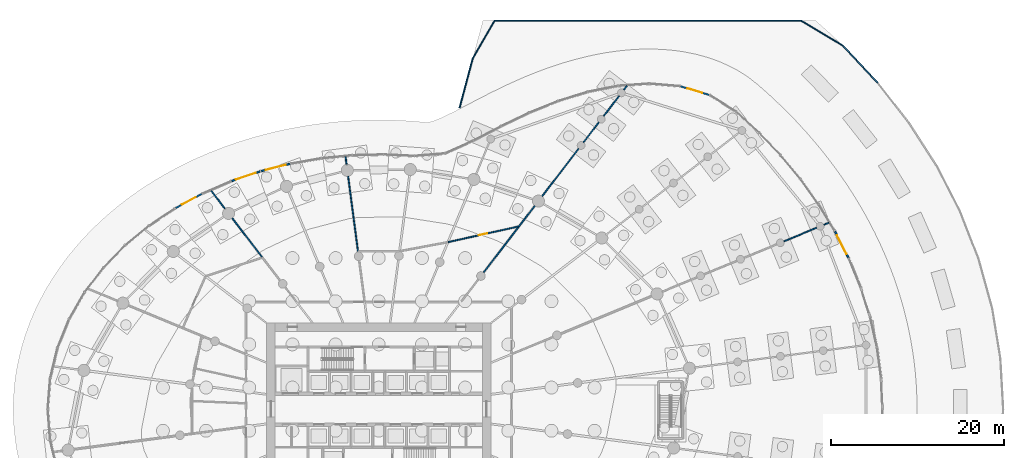
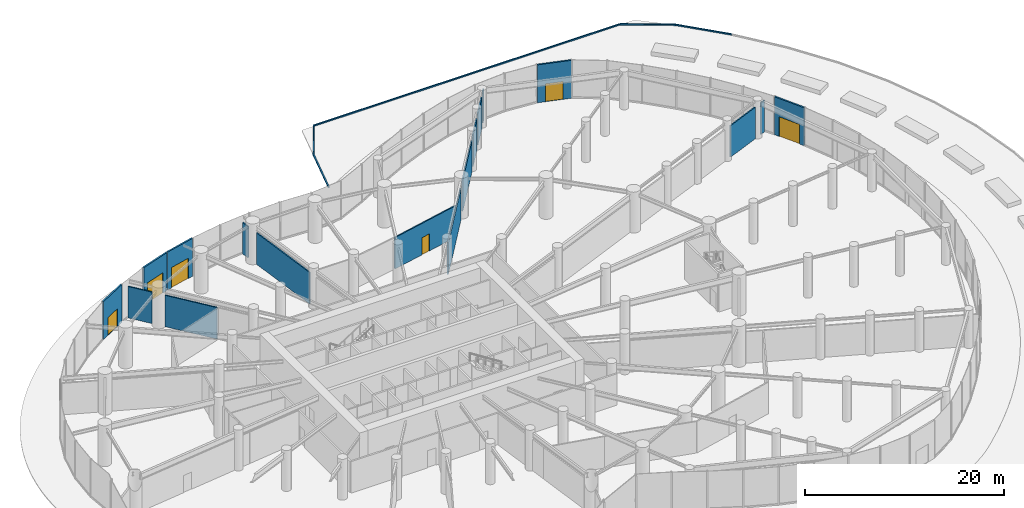
# One storey, part 23 of 28: 27 walls, 6 doors, 6 openings.
"""IFC4 building model written with IfcOpenShell, lengths in metres."""

import ifcopenshell
import ifcopenshell.guid

model = None  # the IFC model being written
_history = None  # IfcOwnerHistory: only IFC2X3 demands one
_inside = {}  # id of a spatial element -> (the spatial element, [elements in it])
_under = {}  # id of a project, library or spatial element -> (it, [spatial elements below it])
_declared = {}  # id of a project -> (the project, [libraries it declares])
_typed = {}  # id of a type object -> (the type object, [elements of that type])
_made_of = {}  # id of a material, layer set ... -> (it, [elements and type objects made of it])


def new_model(schema):
    """Start an empty IFC model of exactly this schema.

    Asked for "IFC4X3", IfcOpenShell would pick the latest addendum, in which some entities
    have other attributes; the version numbers below select the first issue.
    IFC2X3 requires an IfcOwnerHistory on every rooted entity: one is made here for all.
    """
    global model, _history
    if schema == "IFC4X3":
        model = ifcopenshell.file(schema_version=(4, 3, 0, 0))
    else:
        model = ifcopenshell.file(schema=schema)
    _inside.clear()
    _under.clear()
    _declared.clear()
    _typed.clear()
    _made_of.clear()
    _history = None
    if model.schema == "IFC2X3":
        org = make("IfcOrganization", Name="unknown")
        user = make(
            "IfcPersonAndOrganization",
            ThePerson=make("IfcPerson", FamilyName="unknown"),
            TheOrganization=org,
        )
        app = make(
            "IfcApplication",
            ApplicationDeveloper=org,
            Version="unknown",
            ApplicationFullName="unknown",
            ApplicationIdentifier="unknown",
        )
        _history = make(
            "IfcOwnerHistory",
            OwningUser=user,
            OwningApplication=app,
            ChangeAction="ADDED",
            CreationDate=0,
        )
    return model


def make(cls, **values):
    """One entity of the class cls with the attributes given. An attribute that is None is left unset."""
    return model.create_entity(
        cls, **{name: value for name, value in values.items() if value is not None}
    )


def rooted(cls, **values):
    """An entity with a GlobalId (a new one), such as an element, a storey or a relation."""
    return make(cls, GlobalId=ifcopenshell.guid.new(), OwnerHistory=_history, **values)


def si_unit(unit_type, name, prefix=None):
    """IfcSIUnit, for example si_unit("LENGTHUNIT", "METRE", prefix="MILLI")."""
    return make("IfcSIUnit", UnitType=unit_type, Prefix=prefix, Name=name)


def assignment(units):
    """IfcUnitAssignment: the units of a project."""
    return None if units is None else make("IfcUnitAssignment", Units=units)


def point(xyz):
    """IfcCartesianPoint."""
    return None if xyz is None else make("IfcCartesianPoint", Coordinates=xyz)


def direction(xyz):
    """IfcDirection."""
    return None if xyz is None else make("IfcDirection", DirectionRatios=xyz)


def frame(location, z_axis=None, x_axis=None):
    """IfcAxis2Placement3D, a coordinate frame: its origin and axes. An axis left out is left unset."""
    return make(
        "IfcAxis2Placement3D",
        Location=point(location),
        Axis=direction(z_axis),
        RefDirection=direction(x_axis),
    )


def frame_2d(location, x_axis=None):
    """IfcAxis2Placement2D, a coordinate frame in the plane: its origin and x axis."""
    return make(
        "IfcAxis2Placement2D", Location=point(location), RefDirection=direction(x_axis)
    )


def origin():
    """The frame at (0, 0, 0) with its axes left unset."""
    return frame((0.0, 0.0, 0.0))


def place(relative_to, where):
    """IfcLocalPlacement: puts the frame where relative to a parent placement (None: the world)."""
    return make(
        "IfcLocalPlacement", PlacementRelTo=relative_to, RelativePlacement=where
    )


def context(
    kind, dimensions, precision=None, world=None, true_north=None, identifier=None
):
    """IfcGeometricRepresentationContext, for example the 3D "Model" context."""
    return make(
        "IfcGeometricRepresentationContext",
        ContextIdentifier=identifier,
        ContextType=kind,
        CoordinateSpaceDimension=dimensions,
        Precision=precision,
        WorldCoordinateSystem=world,
        TrueNorth=true_north,
    )


def subcontext(parent, identifier, kind, view, scale=None):
    """IfcGeometricRepresentationSubContext, for example "Body" below "Model"."""
    return make(
        "IfcGeometricRepresentationSubContext",
        ContextIdentifier=identifier,
        ContextType=kind,
        ParentContext=parent,
        TargetScale=scale,
        TargetView=view,
    )


def project(units=None, contexts=None):
    """IfcProject with its units and contexts."""
    return rooted(
        "IfcProject",
        Name="project",
        RepresentationContexts=contexts,
        UnitsInContext=assignment(units),
    )


def spatial(cls, under=None, at=None, **own):
    """A site, building, storey or space (cls), placed at a placement, below another one or the project."""
    s = rooted(cls, ObjectPlacement=at, **own)
    if under is not None:
        _under.setdefault(under.id(), (under, []))[1].append(s)
    return s


def profile(cls, at=None, kind="AREA", **sizes):
    """A parametric profile (cls). Its sizes go by their IFC names, for example OverallWidth=200.0."""
    return make(cls, ProfileType=kind, Position=at, **sizes)


def rectangle(**sizes):
    """IfcRectangleProfileDef."""
    return profile("IfcRectangleProfileDef", **sizes)


def extrude(swept, where, along, depth):
    """IfcExtrudedAreaSolid: the profile swept, set in the frame where, extruded along a direction by depth."""
    return make(
        "IfcExtrudedAreaSolid",
        SweptArea=swept,
        Position=where,
        ExtrudedDirection=direction(along),
        Depth=depth,
    )


def shape(context_of_items, identifier, shape_type, items):
    """IfcShapeRepresentation: the items that make up one representation, for example the "Body"."""
    return make(
        "IfcShapeRepresentation",
        ContextOfItems=context_of_items,
        RepresentationIdentifier=identifier,
        RepresentationType=shape_type,
        Items=items,
    )


def source(mapping_origin, context_of_items, identifier, shape_type, items):
    """IfcRepresentationMap: a shape defined once, which mapped items show again and again."""
    return make(
        "IfcRepresentationMap",
        MappingOrigin=mapping_origin,
        MappedRepresentation=shape(context_of_items, identifier, shape_type, items),
    )


def transform(
    local_origin,
    x_axis=None,
    y_axis=None,
    z_axis=None,
    scale=None,
    scale2=None,
    scale3=None,
    uniform=True,
):
    """IfcCartesianTransformationOperator3D, or its non-uniform kind. x_axis, y_axis, z_axis: its Axis1, 2, 3."""
    if uniform:
        return make(
            "IfcCartesianTransformationOperator3D",
            Axis1=direction(x_axis),
            Axis2=direction(y_axis),
            LocalOrigin=point(local_origin),
            Scale=scale,
            Axis3=direction(z_axis),
        )
    return make(
        "IfcCartesianTransformationOperator3DnonUniform",
        Axis1=direction(x_axis),
        Axis2=direction(y_axis),
        LocalOrigin=point(local_origin),
        Scale=scale,
        Axis3=direction(z_axis),
        Scale2=scale2,
        Scale3=scale3,
    )


def mapped(mapping_source, mapping_target):
    """IfcMappedItem: shows the shape of a source again, moved by a transform."""
    return make(
        "IfcMappedItem", MappingSource=mapping_source, MappingTarget=mapping_target
    )


def material(Name=None, Category=None):
    """IfcMaterial."""
    return make("IfcMaterial", Name=Name, Category=Category)


def layer(
    of_material, thickness, ventilated=None, Name=None, Category=None, Priority=None
):
    """IfcMaterialLayer: one layer of a wall or slab, of a material (None: an air gap)."""
    return make(
        "IfcMaterialLayer",
        Material=of_material,
        LayerThickness=thickness,
        IsVentilated=ventilated,
        Name=Name,
        Category=Category,
        Priority=Priority,
    )


def layer_set(layers, Name=None):
    """IfcMaterialLayerSet."""
    return make("IfcMaterialLayerSet", MaterialLayers=layers, LayerSetName=Name)


def made_of(thing, what):
    """Note that an element or type object is made of a material, layer set ...; save() writes the relation."""
    if what is not None:
        _made_of.setdefault(what.id(), (what, []))[1].append(thing)
    return thing


def type_object(cls, material=None, **own):
    """A type object (cls), such as IfcWallType, which elements share."""
    return made_of(rooted(cls, **own), material)


def element(
    cls,
    number,
    at=None,
    inside=None,
    cuts=None,
    type_object=None,
    material=None,
    context=None,
    identifier="Body",
    shape_type=None,
    held_by="IfcProductDefinitionShape",
    body=None,
    shapes=None,
    **own,
):
    """One element of the class cls, such as IfcWall. Its Tag is "e" and its number.

    at: its placement. inside: the storey or other place that contains it. cuts: it is an
    opening in that element (IfcRelVoidsElement). A single representation is given by context,
    identifier, shape_type and body (its items); several are given by shapes. held_by: the class
    of the entity that holds the representations. save() writes the other relations.
    """
    e = rooted(cls, Tag="e%d" % number, ObjectPlacement=at, **own)
    if body is not None:
        shapes = [shape(context, identifier, shape_type, body)]
    if shapes is not None:
        e.Representation = make(held_by, Representations=shapes)
    if inside is not None:
        _inside.setdefault(inside.id(), (inside, []))[1].append(e)
    if cuts is not None:
        rooted(
            "IfcRelVoidsElement", RelatingBuildingElement=cuts, RelatedOpeningElement=e
        )
    if type_object is not None:
        _typed.setdefault(type_object.id(), (type_object, []))[1].append(e)
    return made_of(e, material)


def fill(opening, filler):
    """IfcRelFillsElement: the door or window that sits in an opening."""
    return rooted(
        "IfcRelFillsElement",
        RelatingOpeningElement=opening,
        RelatedBuildingElement=filler,
    )


def aggregate(whole, parts):
    """IfcRelAggregates: a whole, such as a stair, and the parts it consists of."""
    return rooted("IfcRelAggregates", RelatingObject=whole, RelatedObjects=parts)


def save(model, path):
    """Write the relations noted so far, then the file.

    IfcRelAggregates (storeys below a building ...), IfcRelContainedInSpatialStructure (elements
    in a storey), IfcRelDefinesByType, IfcRelAssociatesMaterial and IfcRelDeclares: one each for
    every whole, place, type object, material and project.
    """
    for whole, parts in _under.values():
        aggregate(whole, parts)
    for where, things in _inside.values():
        rooted(
            "IfcRelContainedInSpatialStructure",
            RelatedElements=things,
            RelatingStructure=where,
        )
    for kind, things in _typed.values():
        rooted("IfcRelDefinesByType", RelatedObjects=things, RelatingType=kind)
    for what, things in _made_of.values():
        rooted("IfcRelAssociatesMaterial", RelatedObjects=things, RelatingMaterial=what)
    for by, libraries in _declared.values():
        rooted("IfcRelDeclares", RelatingContext=by, RelatedDefinitions=libraries)
    model.write(path)


model = new_model("IFC4")

# Units and contexts
model_context = context("Model", 3, precision=1e-05, world=origin(), true_north=direction((0.0, 1.0)))
body_context = subcontext(model_context, "Body", "Model", "MODEL_VIEW")
ifc_project = project(units=[si_unit("LENGTHUNIT", "METRE"), si_unit("AREAUNIT", "SQUARE_METRE"), si_unit("VOLUMEUNIT", "CUBIC_METRE"), si_unit("PLANEANGLEUNIT", "RADIAN"), si_unit("MASSUNIT", "GRAM", prefix="KILO")], contexts=[model_context])

# Site, building, storey
site_placement = place(None, origin())
site = spatial("IfcSite", under=ifc_project, at=site_placement, CompositionType="ELEMENT")
building_placement = place(site_placement, origin())
building = spatial("IfcBuilding", under=site, at=building_placement, Name="Spindrift Exchange Tower", CompositionType="ELEMENT")
storey_placement = place(building_placement, origin())
storey = spatial("IfcBuildingStorey", under=building, at=storey_placement, Name="L00", CompositionType="ELEMENT", Elevation=0.0)

# Walls
ifc_material_1 = material(Name="Concrete 32 MPa precast kerb", Category="concrete")
ifc_layer_1 = layer(ifc_material_1, 0.14990234375)
ifc_layer_set_1 = layer_set([ifc_layer_1], Name="GARDEN KERB 150X150")
wall_type_1 = type_object("IfcWallType", Name="GARDEN KERB 150X150", PredefinedType="STANDARD", material=ifc_layer_set_1)
wall_1_placement = place(storey_placement, frame((61.350341796875, 82.895751953125, 0.0), z_axis=(0.0, 0.0, 1.0), x_axis=(0.258795218761, 0.965932210223, 0.0)))
element("IfcWall", 1, at=wall_1_placement, inside=storey, type_object=wall_type_1, Name="L00 Garden Kerb 1", PredefinedType="STANDARD", context=body_context, shape_type="SweptSolid", body=[
    extrude(rectangle(XDim=5.916015625, YDim=0.14990234375, at=frame_2d((2.9580078125, 0.0))), origin(), (0.0, 0.0, 1.0), 0.14990234375),
])
wall_2_placement = place(storey_placement, frame((62.88134765625, 88.610107421875, 0.0), z_axis=(0.0, 0.0, 1.0), x_axis=(0.501898768173, 0.864926370569, 0.0)))
element("IfcWall", 2, at=wall_2_placement, inside=storey, type_object=wall_type_1, Name="L00 Garden Kerb 2", PredefinedType="STANDARD", context=body_context, shape_type="SweptSolid", body=[
    extrude(rectangle(XDim=5.075439453125, YDim=0.14990234375, at=frame_2d((2.53759765625, 0.0))), origin(), (0.0, 0.0, 1.0), 0.14990234375),
])
wall_3_placement = place(storey_placement, frame((65.4287109375, 93.0, 0.0), z_axis=(0.0, 0.0, 1.0), x_axis=(1.0, 0.0, 0.0)))
element("IfcWall", 3, at=wall_3_placement, inside=storey, type_object=wall_type_1, Name="L00 Garden Kerb 3", PredefinedType="STANDARD", context=body_context, shape_type="SweptSolid", body=[
    extrude(rectangle(XDim=5.915771484375, YDim=0.14990234375, at=frame_2d((2.9580078125, 0.0))), origin(), (0.0, 0.0, 1.0), 0.14990234375),
])
wall_4_placement = place(storey_placement, frame((71.344482421875, 93.0, 0.0), z_axis=(0.0, 0.0, 1.0), x_axis=(1.0, 0.0, 0.0)))
element("IfcWall", 4, at=wall_4_placement, inside=storey, type_object=wall_type_1, Name="L00 Garden Kerb 4", PredefinedType="STANDARD", context=body_context, shape_type="SweptSolid", body=[
    extrude(rectangle(XDim=5.916015625, YDim=0.14990234375, at=frame_2d((2.9580078125, 0.0))), origin(), (0.0, 0.0, 1.0), 0.14990234375),
])
for number, where, z_axis, x_axis, name in (
    (5, (77.260498046875, 93.0, 0.0), (0.0, 0.0, 1.0), (1.0, 0.0, 0.0), "L00 Garden Kerb 5"),
    (6, (83.17626953125, 93.0, 0.0), (0.0, 0.0, 1.0), (1.0, 0.0, 0.0), "L00 Garden Kerb 6"),
    (7, (89.092041015625, 93.0, 0.0), (0.0, 0.0, 1.0), (1.0, 0.0, 0.0), "L00 Garden Kerb 7"),
    (8, (95.0078125, 93.0, 0.0), (0.0, 0.0, 1.0), (1.0, 0.0, 0.0), "L00 Garden Kerb 8"),
):
    element("IfcWall", number, at=place(storey_placement, frame(where, z_axis=z_axis, x_axis=x_axis)), inside=storey, type_object=wall_type_1, Name=name, PredefinedType="STANDARD", context=body_context, shape_type="SweptSolid", body=[
        extrude(rectangle(XDim=5.915771484375, YDim=0.14990234375, at=frame_2d((2.9580078125, 0.0))), origin(), (0.0, 0.0, 1.0), 0.14990234375),
    ])
wall_5_placement = place(storey_placement, frame((100.923583984375, 93.0, 0.0), z_axis=(0.0, 0.0, 1.0), x_axis=(0.857824486024, -0.513942750876, 0.0)))
element("IfcWall", 9, at=wall_5_placement, inside=storey, type_object=wall_type_1, Name="L00 Garden Kerb 9", PredefinedType="STANDARD", context=body_context, shape_type="SweptSolid", body=[
    extrude(rectangle(XDim=5.58447265625, YDim=0.14990234375, at=frame_2d((2.792236328125, 0.0))), origin(), (0.0, 0.0, 1.0), 0.14990234375),
])
wall_6_placement = place(storey_placement, frame((105.714111328125, 90.1298828125, 0.0), z_axis=(0.0, 0.0, 1.0), x_axis=(0.686035348608, -0.727568210177, 0.0)))
element("IfcWall", 10, at=wall_6_placement, inside=storey, type_object=wall_type_1, Name="L00 Garden Kerb 10", PredefinedType="STANDARD", context=body_context, shape_type="SweptSolid", body=[
    extrude(rectangle(XDim=5.91357421875, YDim=0.14990234375, at=frame_2d((2.956787109375, 0.0))), origin(), (0.0, 0.0, 1.0), 0.14990234375),
])

# Wall, opening, door
ifc_material_2 = material(Name="Bronze anodised aluminium frame with fritted laminated glass spandrel", Category="aluminium")
ifc_layer_2 = layer(ifc_material_2, 0.179931640625)
ifc_layer_set_2 = layer_set([ifc_layer_2], Name="UNITISED FRAME WALL")
wall_type_2 = type_object("IfcWallType", Name="UNITISED FRAME WALL", PredefinedType="STANDARD", material=ifc_layer_set_2)
wall_7_placement = place(storey_placement, frame((104.828857421875, 68.614501953125, 0.0), z_axis=(0.0, 0.0, 1.0), x_axis=(0.454510860578, -0.890741195643, 0.0)))
wall_7 = element("IfcWall", 11, at=wall_7_placement, inside=storey, type_object=wall_type_2, Name="L00 Frame Wall 6", PredefinedType="STANDARD", context=body_context, shape_type="SweptSolid", body=[
    extrude(rectangle(XDim=3.512451171875, YDim=0.179931640625, at=frame_2d((1.75634765625, 0.0))), origin(), (0.0, 0.0, 1.0), 4.64990234375),
])
opening_1_placement = place(wall_7_placement, frame((0.556396484375, 0.0, 0.0)))
opening_1 = element("IfcOpeningElement", 12, at=opening_1_placement, cuts=wall_7, Name="Opening ED00-13", PredefinedType="OPENING", context=body_context, shape_type="SweptSolid", body=[
    extrude(rectangle(XDim=2.39990234375, YDim=2.39990234375, at=frame_2d((1.199951171875, 1.199951171875))), frame((0.0, 0.099853515625, 0.0), z_axis=(0.0, -1.0, 0.0), x_axis=(1.0, 0.0, 0.0)), (0.0, 0.0, 1.0), 0.199951171875),
])
ifc_material_3 = material(Name="Toughened laminated glass in bronze frame", Category="glass")
door_type_1 = type_object("IfcDoorType", Name="GARDEN PAVILION ENTRANCE DOOR 2400X2400", OperationType="DOUBLE_DOOR_SINGLE_SWING", PredefinedType="DOOR", material=ifc_material_3)
shared_shape_1 = source(origin(), body_context, "Body", "SweptSolid", [
    extrude(rectangle(XDim=2.39990234375, YDim=2.39990234375, at=frame_2d((1.199951171875, 1.199951171875))), frame((0.0, 0.02490234375, 0.0), z_axis=(0.0, -1.0, 0.0), x_axis=(1.0, 0.0, 0.0)), (0.0, 0.0, 1.0), 0.050048828125),
])
door_1_placement = place(opening_1_placement, origin())
door_1 = element("IfcDoor", 13, at=door_1_placement, inside=storey, type_object=door_type_1, Name="L00 Garden Pavilion Entrance Door ED00-13", OperationType="DOUBLE_DOOR_SINGLE_SWING", OverallHeight=2.39990234375, OverallWidth=2.39990234375, PredefinedType="DOOR", context=body_context, shape_type="MappedRepresentation", body=[
    mapped(shared_shape_1, transform((0.0, 0.0, 0.0), scale=1.0)),
])
fill(opening_1, door_1)

wall_8_placement = place(storey_placement, frame((86.944091796875, 85.394775390625, 0.0), z_axis=(0.0, 0.0, 1.0), x_axis=(0.957845455976, -0.287283975305, 0.0)))
wall_8 = element("IfcWall", 14, at=wall_8_placement, inside=storey, type_object=wall_type_2, Name="L00 Frame Wall 13", PredefinedType="STANDARD", context=body_context, shape_type="SweptSolid", body=[
    extrude(rectangle(XDim=3.504638671875, YDim=0.179931640625, at=frame_2d((1.75244140625, 0.0))), origin(), (0.0, 0.0, 1.0), 4.64990234375),
])
opening_2_placement = place(wall_8_placement, frame((0.852294921875, 0.0, 0.0)))
opening_2 = element("IfcOpeningElement", 15, at=opening_2_placement, cuts=wall_8, Name="Opening ED00-7", PredefinedType="OPENING", context=body_context, shape_type="SweptSolid", body=[
    extrude(rectangle(XDim=1.800048828125, YDim=2.199951171875, at=frame_2d((0.89990234375, 1.10009765625))), frame((0.0, 0.099853515625, 0.0), z_axis=(0.0, -1.0, 0.0), x_axis=(1.0, 0.0, 0.0)), (0.0, 0.0, 1.0), 0.199951171875),
])
ifc_material_4 = material(Name="Galvanised steel door leaf, polyester powder coat", Category="steel")
door_type_2 = type_object("IfcDoorType", Name="PLANT ROOM EXIT DOOR 1800X2200", OperationType="DOUBLE_DOOR_SINGLE_SWING", PredefinedType="DOOR", material=ifc_material_4)
shared_shape_2 = source(origin(), body_context, "Body", "SweptSolid", [
    extrude(rectangle(XDim=1.800048828125, YDim=2.199951171875, at=frame_2d((0.89990234375, 1.10009765625))), frame((0.0, 0.02490234375, 0.0), z_axis=(0.0, -1.0, 0.0), x_axis=(1.0, 0.0, 0.0)), (0.0, 0.0, 1.0), 0.050048828125),
])
door_2_placement = place(opening_2_placement, origin())
door_2 = element("IfcDoor", 16, at=door_2_placement, inside=storey, type_object=door_type_2, Name="L00 Plant Room Exit Door ED00-7", OperationType="DOUBLE_DOOR_SINGLE_SWING", OverallHeight=2.199951171875, OverallWidth=1.800048828125, PredefinedType="DOOR", context=body_context, shape_type="MappedRepresentation", body=[
    mapped(shared_shape_2, transform((0.0, 0.0, 0.0), scale=1.0)),
])
fill(opening_2, door_2)

wall_9_placement = place(storey_placement, frame((38.352294921875, 75.566162109375, 0.0), z_axis=(0.0, 0.0, 1.0), x_axis=(0.969559170981, 0.244857129704, 0.0)))
wall_9 = element("IfcWall", 17, at=wall_9_placement, inside=storey, type_object=wall_type_2, Name="L00 Frame Wall 27", PredefinedType="STANDARD", context=body_context, shape_type="SweptSolid", body=[
    extrude(rectangle(XDim=3.5126953125, YDim=0.179931640625, at=frame_2d((1.75634765625, 0.0))), origin(), (0.0, 0.0, 1.0), 4.64990234375),
])
opening_3_placement = place(wall_9_placement, frame((0.556396484375, 0.0, 0.0)))
opening_3 = element("IfcOpeningElement", 18, at=opening_3_placement, cuts=wall_9, Name="Opening ED00-1", PredefinedType="OPENING", context=body_context, shape_type="SweptSolid", body=[
    extrude(rectangle(XDim=2.39990234375, YDim=2.5, at=frame_2d((1.199951171875, 1.25))), frame((0.0, 0.099853515625, 0.0), z_axis=(0.0, -1.0, 0.0), x_axis=(1.0, 0.0, 0.0)), (0.0, 0.0, 1.0), 0.199951171875),
])
door_type_3 = type_object("IfcDoorType", Name="MAIN ENTRANCE DOOR 2400X2500", OperationType="DOUBLE_DOOR_SINGLE_SWING", PredefinedType="DOOR", material=ifc_material_3)
shared_shape_3 = source(origin(), body_context, "Body", "SweptSolid", [
    extrude(rectangle(XDim=2.39990234375, YDim=2.5, at=frame_2d((1.199951171875, 1.25))), frame((0.0, 0.02490234375, 0.0), z_axis=(0.0, -1.0, 0.0), x_axis=(1.0, 0.0, 0.0)), (0.0, 0.0, 1.0), 0.050048828125),
])
door_3_placement = place(opening_3_placement, origin())
door_3 = element("IfcDoor", 19, at=door_3_placement, inside=storey, type_object=door_type_3, Name="L00 Main Entrance Door ED00-1", OperationType="DOUBLE_DOOR_SINGLE_SWING", OverallHeight=2.5, OverallWidth=2.39990234375, PredefinedType="DOOR", context=body_context, shape_type="MappedRepresentation", body=[
    mapped(shared_shape_3, transform((0.0, 0.0, 0.0), scale=1.0)),
])
fill(opening_3, door_3)

wall_10_placement = place(storey_placement, frame((34.937744140625, 74.417236328125, 0.0), z_axis=(0.0, 0.0, 1.0), x_axis=(0.947474115606, 0.319832456541, 0.0)))
wall_10 = element("IfcWall", 20, at=wall_10_placement, inside=storey, type_object=wall_type_2, Name="L00 Frame Wall 28", PredefinedType="STANDARD", context=body_context, shape_type="SweptSolid", body=[
    extrude(rectangle(XDim=3.512939453125, YDim=0.179931640625, at=frame_2d((1.75634765625, 0.0))), origin(), (0.0, 0.0, 1.0), 4.64990234375),
])
opening_4_placement = place(wall_10_placement, frame((0.556396484375, 0.0, 0.0)))
opening_4 = element("IfcOpeningElement", 21, at=opening_4_placement, cuts=wall_10, Name="Opening ED00-2", PredefinedType="OPENING", context=body_context, shape_type="SweptSolid", body=[
    extrude(rectangle(XDim=2.39990234375, YDim=2.5, at=frame_2d((1.199951171875, 1.25))), frame((0.0, 0.099853515625, 0.0), z_axis=(0.0, -1.0, 0.0), x_axis=(1.0, 0.0, 0.0)), (0.0, 0.0, 1.0), 0.199951171875),
])
door_4_placement = place(opening_4_placement, origin())
door_4 = element("IfcDoor", 22, at=door_4_placement, inside=storey, type_object=door_type_3, Name="L00 Main Entrance Door ED00-2", OperationType="DOUBLE_DOOR_SINGLE_SWING", OverallHeight=2.5, OverallWidth=2.39990234375, PredefinedType="DOOR", context=body_context, shape_type="MappedRepresentation", body=[
    mapped(shared_shape_3, transform((0.0, 0.0, 0.0), scale=1.0)),
])
fill(opening_4, door_4)

wall_11_placement = place(storey_placement, frame((28.4580078125, 71.283935546875, 0.0), z_axis=(0.0, 0.0, 1.0), x_axis=(0.880004187443, 0.474965925181, 0.0)))
wall_11 = element("IfcWall", 23, at=wall_11_placement, inside=storey, type_object=wall_type_2, Name="L00 Frame Wall 30", PredefinedType="STANDARD", context=body_context, shape_type="SweptSolid", body=[
    extrude(rectangle(XDim=3.51220703125, YDim=0.179931640625, at=frame_2d((1.756103515625, 0.0))), origin(), (0.0, 0.0, 1.0), 4.64990234375),
])
opening_5_placement = place(wall_11_placement, frame((0.856201171875, 0.0, 0.0)))
opening_5 = element("IfcOpeningElement", 24, at=opening_5_placement, cuts=wall_11, Name="Opening ED00-8", PredefinedType="OPENING", context=body_context, shape_type="SweptSolid", body=[
    extrude(rectangle(XDim=1.800048828125, YDim=2.199951171875, at=frame_2d((0.89990234375, 1.10009765625))), frame((0.0, 0.099853515625, 0.0), z_axis=(0.0, -1.0, 0.0), x_axis=(1.0, 0.0, 0.0)), (0.0, 0.0, 1.0), 0.199951171875),
])
door_5_placement = place(opening_5_placement, origin())
door_5 = element("IfcDoor", 25, at=door_5_placement, inside=storey, type_object=door_type_2, Name="L00 Plant Room Exit Door ED00-8", OperationType="DOUBLE_DOOR_SINGLE_SWING", OverallHeight=2.199951171875, OverallWidth=1.800048828125, PredefinedType="DOOR", context=body_context, shape_type="MappedRepresentation", body=[
    mapped(shared_shape_2, transform((0.0, 0.0, 0.0), scale=1.0)),
])
fill(opening_5, door_5)

# Walls
ifc_material_5 = material(Name="Fire-rated plasterboard partition", Category="gypsum")
ifc_layer_3 = layer(ifc_material_5, 0.139892578125)
ifc_layer_set_3 = layer_set([ifc_layer_3], Name="W-PART-140")
wall_type_3 = type_object("IfcWallType", Name="W-PART-140", PredefinedType="PARTITIONING", material=ifc_layer_set_3)
wall_12_placement = place(storey_placement, frame((98.93359375, 67.4404296875, 0.0), z_axis=(0.0, 0.0, 1.0), x_axis=(0.92386621601, 0.382715579661, 0.0)))
element("IfcWall", 26, at=wall_12_placement, inside=storey, type_object=wall_type_3, Name="L00 Partition wall 101", PredefinedType="PARTITIONING", context=body_context, shape_type="SweptSolid", body=[
    extrude(rectangle(XDim=4.089599609375, YDim=0.139892578125, at=frame_2d((2.044921875, 0.0))), origin(), (0.0, 0.0, 1.0), 3.85009765625),
])
wall_13_placement = place(storey_placement, frame((103.552734375, 69.353759765625, 0.0), z_axis=(0.0, 0.0, 1.0), x_axis=(0.923782000419, 0.382918810849, 0.0)))
element("IfcWall", 27, at=wall_13_placement, inside=storey, type_object=wall_type_3, Name="L00 Partition wall 131", PredefinedType="PARTITIONING", context=body_context, shape_type="SweptSolid", body=[
    extrude(rectangle(XDim=0.6337890625, YDim=0.139892578125, at=frame_2d((0.31689453125, 0.0))), origin(), (0.0, 0.0, 1.0), 3.85009765625),
])
ifc_layer_4 = layer(ifc_material_5, 0.139892578125)
ifc_layer_set_4 = layer_set([ifc_layer_4], Name="W-PLANT-140")
wall_type_4 = type_object("IfcWallType", Name="W-PLANT-140", PredefinedType="PARTITIONING", material=ifc_layer_set_4)
wall_14_placement = place(storey_placement, frame((70.063720703125, 71.541015625, 0.0), z_axis=(0.0, 0.0, 1.0), x_axis=(-0.608770295053, -0.793346537057, 0.0)))
element("IfcWall", 28, at=wall_14_placement, inside=storey, type_object=wall_type_4, Name="L00 Partition wall 74", PredefinedType="PARTITIONING", context=body_context, shape_type="SweptSolid", body=[
    extrude(rectangle(XDim=9.727294921875, YDim=0.139892578125, at=frame_2d((4.86376953125, 0.0))), origin(), (0.0, 0.0, 1.0), 3.85009765625),
])
wall_15_placement = place(storey_placement, frame((49.591552734375, 66.2939453125, 0.0), z_axis=(0.0, 0.0, 1.0), x_axis=(-0.130530349162, 0.991444314093, 0.0)))
element("IfcWall", 29, at=wall_15_placement, inside=storey, type_object=wall_type_4, Name="L00 Partition wall 79", PredefinedType="PARTITIONING", context=body_context, shape_type="SweptSolid", body=[
    extrude(rectangle(XDim=8.743896484375, YDim=0.139892578125, at=frame_2d((4.3720703125, 0.0))), origin(), (0.0, 0.0, 1.0), 3.85009765625),
])

# Wall, opening, door
wall_16_placement = place(storey_placement, frame((60.01171875, 67.342041015625, 0.0), z_axis=(0.0, 0.0, 1.0), x_axis=(0.976160147814, 0.217051528031, 0.0)))
wall_16 = element("IfcWall", 30, at=wall_16_placement, inside=storey, type_object=wall_type_4, Name="L00 Partition wall 80", PredefinedType="PARTITIONING", context=body_context, shape_type="SweptSolid", body=[
    extrude(rectangle(XDim=8.326904296875, YDim=0.139892578125, at=frame_2d((4.16357421875, 0.0))), origin(), (0.0, 0.0, 1.0), 3.85009765625),
])
opening_6_placement = place(wall_16_placement, frame((3.677001953125, 0.0, 0.0)))
opening_6 = element("IfcOpeningElement", 31, at=opening_6_placement, cuts=wall_16, Name="Opening L00-D33", PredefinedType="OPENING", context=body_context, shape_type="SweptSolid", body=[
    extrude(rectangle(XDim=1.0, YDim=2.10009765625, at=frame_2d((0.5, 1.050048828125))), frame((0.0, 0.079833984375, 0.0), z_axis=(0.0, -1.0, 0.0), x_axis=(1.0, 0.0, 0.0)), (0.0, 0.0, 1.0), 0.159912109375),
])
ifc_material_6 = material(Name="Timber-core fire door", Category="wood")
door_type_4 = type_object("IfcDoorType", Name="DR-ROOM-1000", OperationType="NOTDEFINED", PredefinedType="DOOR", material=ifc_material_6)
shared_shape_4 = source(origin(), body_context, "Body", "SweptSolid", [
    extrude(rectangle(XDim=1.0, YDim=2.10009765625, at=frame_2d((0.5, 1.050048828125))), frame((0.0, 0.02490234375, 0.0), z_axis=(0.0, -1.0, 0.0), x_axis=(1.0, 0.0, 0.0)), (0.0, 0.0, 1.0), 0.050048828125),
])
door_6_placement = place(opening_6_placement, origin())
door_6 = element("IfcDoor", 32, at=door_6_placement, inside=storey, type_object=door_type_4, Name="L00 Door 33", OperationType="SINGLE_SWING_RIGHT", OverallHeight=2.10009765625, OverallWidth=1.0, PredefinedType="DOOR", context=body_context, shape_type="MappedRepresentation", body=[
    mapped(shared_shape_4, transform((0.0, 0.0, 0.0), scale=1.0)),
])
fill(opening_6, door_6)

# Walls
wall_17_placement = place(storey_placement, frame((70.9208984375, 72.658447265625, 0.0), z_axis=(0.0, 0.0, 1.0), x_axis=(0.608788506125, 0.793332562555, 0.0)))
element("IfcWall", 33, at=wall_17_placement, inside=storey, type_object=wall_type_4, Name="L00 Partition wall 84", PredefinedType="PARTITIONING", context=body_context, shape_type="SweptSolid", body=[
    extrude(rectangle(XDim=6.962646484375, YDim=0.139892578125, at=frame_2d((3.4814453125, 0.0))), origin(), (0.0, 0.0, 1.0), 3.85009765625),
])
wall_18_placement = place(storey_placement, frame((38.476318359375, 65.62451171875, 0.0), z_axis=(0.0, 0.0, 1.0), x_axis=(-0.608780259513, 0.793338890782, 0.0)))
element("IfcWall", 34, at=wall_18_placement, inside=storey, type_object=wall_type_4, Name="L00 Partition wall 89", PredefinedType="PARTITIONING", context=body_context, shape_type="SweptSolid", body=[
    extrude(rectangle(XDim=5.65771484375, YDim=0.139892578125, at=frame_2d((2.828857421875, 0.0))), origin(), (0.0, 0.0, 1.0), 3.85009765625),
])
for number, where, z_axis, x_axis, name in (
    (35, (75.712890625, 78.9033203125, 0.0), (0.0, 0.0, 1.0), (0.608804147927, 0.793320559085, 0.0), "L00 Partition wall 113"),
    (36, (78.049560546875, 81.948486328125, 0.0), (0.0, 0.0, 1.0), (0.608804147927, 0.793320559085, 0.0), "L00 Partition wall 114"),
):
    element("IfcWall", number, at=place(storey_placement, frame(where, z_axis=z_axis, x_axis=x_axis)), inside=storey, type_object=wall_type_4, Name=name, PredefinedType="PARTITIONING", context=body_context, shape_type="SweptSolid", body=[
        extrude(rectangle(XDim=2.929443359375, YDim=0.139892578125, at=frame_2d((1.46484375, 0.0))), origin(), (0.0, 0.0, 1.0), 3.85009765625),
    ])
wall_19_placement = place(storey_placement, frame((34.1748046875, 71.23046875, 0.0), z_axis=(0.0, 0.0, 1.0), x_axis=(-0.608811983243, 0.793314546104, 0.0)))
element("IfcWall", 37, at=wall_19_placement, inside=storey, type_object=wall_type_4, Name="L00 Partition wall 115", PredefinedType="PARTITIONING", context=body_context, shape_type="SweptSolid", body=[
    extrude(rectangle(XDim=2.626708984375, YDim=0.139892578125, at=frame_2d((1.3134765625, 0.0))), origin(), (0.0, 0.0, 1.0), 3.85009765625),
])
wall_20_placement = place(storey_placement, frame((48.266357421875, 76.359619140625, 0.0), z_axis=(0.0, 0.0, 1.0), x_axis=(-0.13059675412, 0.991435569169, 0.0)))
element("IfcWall", 38, at=wall_20_placement, inside=storey, type_object=wall_type_4, Name="L00 Partition wall 126", PredefinedType="PARTITIONING", context=body_context, shape_type="SweptSolid", body=[
    extrude(rectangle(XDim=0.887939453125, YDim=0.139892578125, at=frame_2d((0.44384765625, 0.0))), origin(), (0.0, 0.0, 1.0), 3.85009765625),
])
wall_21_placement = place(storey_placement, frame((80.38623046875, 84.99365234375, 0.0), z_axis=(0.0, 0.0, 1.0), x_axis=(0.608698632567, 0.793401521748, 0.0)))
element("IfcWall", 39, at=wall_21_placement, inside=storey, type_object=wall_type_4, Name="L00 Partition wall 132", PredefinedType="PARTITIONING", context=body_context, shape_type="SweptSolid", body=[
    extrude(rectangle(XDim=0.5947265625, YDim=0.139892578125, at=frame_2d((0.29736328125, 0.0))), origin(), (0.0, 0.0, 1.0), 3.85009765625),
])

save(model, "model.ifc")
